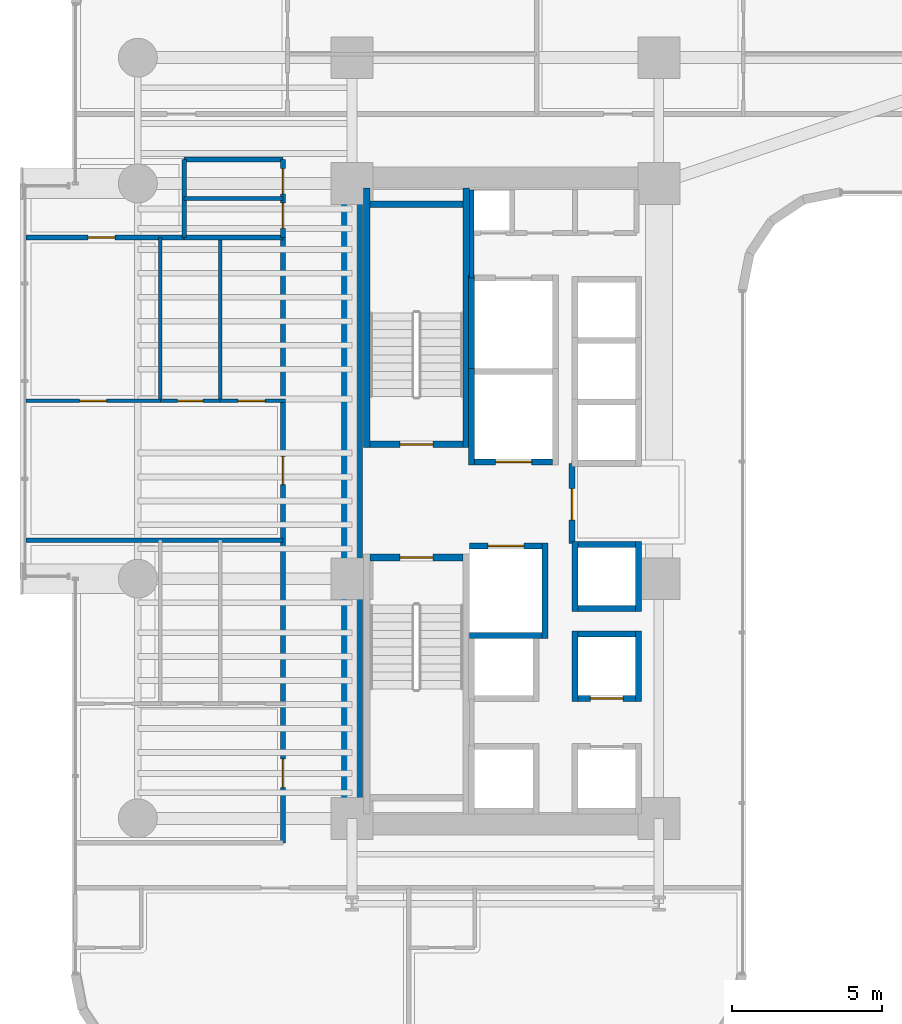
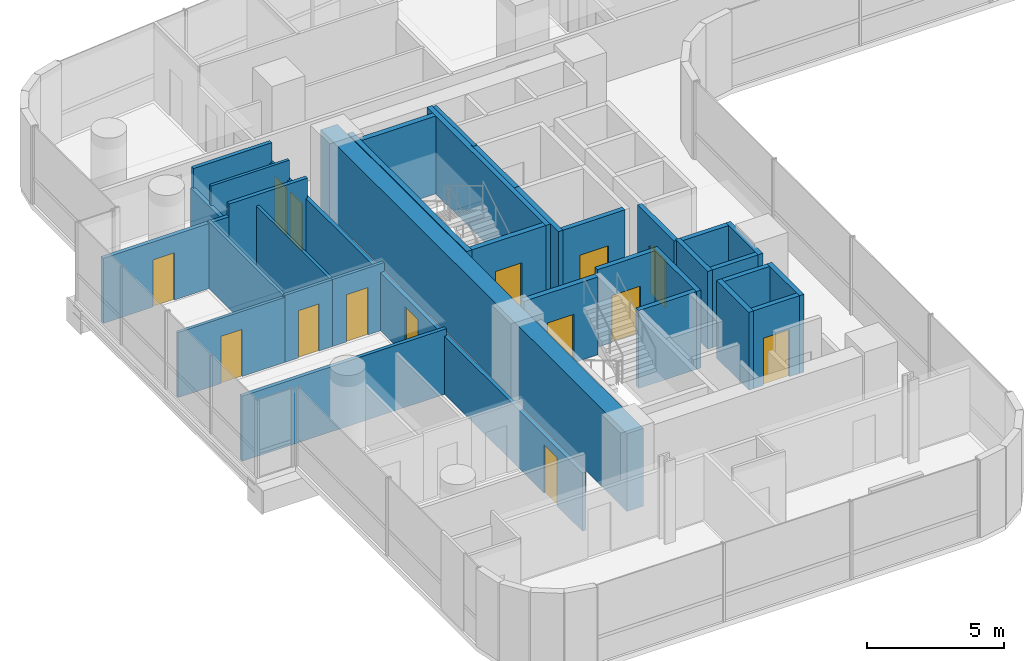
# One storey, part 30 of 40: 35 walls, 14 doors, 14 openings.
"""IFC4 building model written with IfcOpenShell, lengths in metres."""

from ifc_helpers import new_model, si_unit, direction, frame, frame_2d, origin, place, context, subcontext, project, spatial, rectangle, extrude, material, layer, layer_set, type_object, element, fill, save


model = new_model("IFC4")

# Units and contexts
model_context = context("Model", 3, precision=1e-05, world=origin(), true_north=direction((0.0, 1.0)))
body_context = subcontext(model_context, "Body", "Model", "MODEL_VIEW")
ifc_project = project(units=[si_unit("LENGTHUNIT", "METRE"), si_unit("AREAUNIT", "SQUARE_METRE"), si_unit("VOLUMEUNIT", "CUBIC_METRE"), si_unit("PLANEANGLEUNIT", "RADIAN"), si_unit("MASSUNIT", "GRAM", prefix="KILO")], contexts=[model_context])

# Site, building, storey
site_placement = place(None, origin())
site = spatial("IfcSite", under=ifc_project, at=site_placement, CompositionType="ELEMENT")
building_placement = place(site_placement, origin())
building = spatial("IfcBuilding", under=site, at=building_placement, Name="Valdorenza Pilgrim Sanctuary Tower", CompositionType="ELEMENT")
storey_placement = place(building_placement, frame((0.0, 0.0, 40.800048828125)))
storey = spatial("IfcBuildingStorey", under=building, at=storey_placement, Name="L09", CompositionType="ELEMENT", Elevation=40.800048828125)

# Walls
ifc_material_1 = material(Name="Acoustic twin-stud gypsum partition", Category="gypsum")
ifc_layer_1 = layer(ifc_material_1, 0.159912109375, Name="Acoustic twin-stud gypsum partition")
ifc_layer_set_1 = layer_set([ifc_layer_1], Name="Acoustic twin-stud gypsum partition")
wall_type_1 = type_object("IfcWallType", Name="WAL-COR-160", PredefinedType="PARTITIONING", material=ifc_layer_set_1)
wall_1_placement = place(storey_placement, frame((-18.64990234375, 7.449951171875, 0.0), z_axis=(0.0, 0.0, 1.0), x_axis=(0.0, 1.0, 0.0)))
element("IfcWall", 1, at=wall_1_placement, inside=storey, type_object=wall_type_1, Name="L09 Core A North Service West Wall", PredefinedType="PARTITIONING", context=body_context, shape_type="SweptSolid", body=[
    extrude(rectangle(XDim=2.929931640625, YDim=0.159912109375, at=frame_2d((1.46484375, 0.0))), origin(), (0.0, 0.0, 1.0), 3.4599609375),
])
wall_2_placement = place(storey_placement, frame((-28.25, 8.800048828125, 0.0), z_axis=(0.0, 0.0, 1.0), x_axis=(0.0, 1.0, 0.0)))
element("IfcWall", 2, at=wall_2_placement, inside=storey, type_object=wall_type_1, Name="L09 Washroom West Wall", PredefinedType="PARTITIONING", context=body_context, shape_type="SweptSolid", body=[
    extrude(rectangle(XDim=2.599853515625, YDim=0.159912109375, at=frame_2d((1.2998046875, 0.0))), origin(), (0.0, 0.0, 1.0), 2.5830078125),
])

# Wall, openings, doors
wall_3_placement = place(storey_placement, frame((-24.949951171875, 8.800048828125, 0.0), z_axis=(0.0, 0.0, 1.0), x_axis=(0.0, 1.0, 0.0)))
wall_3 = element("IfcWall", 3, at=wall_3_placement, inside=storey, type_object=wall_type_1, Name="L09 Washroom East Wall", PredefinedType="PARTITIONING", context=body_context, shape_type="SweptSolid", body=[
    extrude(rectangle(XDim=2.599853515625, YDim=0.159912109375, at=frame_2d((1.2998046875, 0.0))), origin(), (0.0, 0.0, 1.0), 2.5830078125),
])
opening_1_placement = place(wall_3_placement, frame((0.300048828125, 0.0, 0.0)))
opening_1 = element("IfcOpeningElement", 4, at=opening_1_placement, cuts=wall_3, Name="Opening DR-WC1", PredefinedType="OPENING", context=body_context, shape_type="SweptSolid", body=[
    extrude(rectangle(XDim=0.85009765625, YDim=2.10009765625, at=frame_2d((0.425048828125, 1.050048828125))), frame((0.0, 0.0947265625, 0.0), z_axis=(0.0, -1.0, 0.0), x_axis=(1.0, 0.0, 0.0)), (0.0, 0.0, 1.0), 0.189697265625),
])
opening_2_placement = place(wall_3_placement, frame((1.449951171875, 0.0, 0.0)))
opening_2 = element("IfcOpeningElement", 5, at=opening_2_placement, cuts=wall_3, Name="Opening DR-WC1", PredefinedType="OPENING", context=body_context, shape_type="SweptSolid", body=[
    extrude(rectangle(XDim=0.85009765625, YDim=2.10009765625, at=frame_2d((0.425048828125, 1.050048828125))), frame((0.0, 0.0947265625, 0.0), z_axis=(0.0, -1.0, 0.0), x_axis=(1.0, 0.0, 0.0)), (0.0, 0.0, 1.0), 0.189697265625),
])
ifc_material_2 = material(Name="Moisture-resistant lacquered timber", Category="wood")
door_type_1 = type_object("IfcDoorType", Name="DR-BATH-850", OperationType="NOTDEFINED", PredefinedType="DOOR", material=ifc_material_2)
door_1_placement = place(opening_1_placement, origin())
door_1 = element("IfcDoor", 6, at=door_1_placement, inside=storey, type_object=door_type_1, Name="L09 Accessible Washroom Door", OperationType="SINGLE_SWING_RIGHT", OverallHeight=2.10009765625, OverallWidth=0.85009765625, PredefinedType="DOOR", context=body_context, shape_type="SweptSolid", body=[
    extrude(rectangle(XDim=0.85009765625, YDim=2.10009765625, at=frame_2d((0.425048828125, 1.050048828125))), frame((0.0, 0.02490234375, 0.0), z_axis=(0.0, -1.0, 0.0), x_axis=(1.0, 0.0, 0.0)), (0.0, 0.0, 1.0), 0.050048828125),
])
fill(opening_1, door_1)
door_2_placement = place(opening_2_placement, origin())
door_2 = element("IfcDoor", 7, at=door_2_placement, inside=storey, type_object=door_type_1, Name="L09 Public Washroom Door", OperationType="SINGLE_SWING_LEFT", OverallHeight=2.10009765625, OverallWidth=0.85009765625, PredefinedType="DOOR", context=body_context, shape_type="SweptSolid", body=[
    extrude(rectangle(XDim=0.85009765625, YDim=2.10009765625, at=frame_2d((0.425048828125, 1.050048828125))), frame((0.0, 0.02490234375, 0.0), z_axis=(0.0, -1.0, 0.0), x_axis=(1.0, 0.0, 0.0)), (0.0, 0.0, 1.0), 0.050048828125),
])
fill(opening_2, door_2)

# Walls
for number, where, z_axis, x_axis, name in (
    (8, (-28.25, 8.800048828125, 0.0), (0.0, 0.0, 1.0), (1.0, 0.0, 0.0), "L09 Washroom South Wall"),
    (9, (-28.25, 11.39990234375, 0.0), (0.0, 0.0, 1.0), (1.0, 0.0, 0.0), "L09 Washroom North Wall"),
):
    element("IfcWall", number, at=place(storey_placement, frame(where, z_axis=z_axis, x_axis=x_axis)), inside=storey, type_object=wall_type_1, Name=name, PredefinedType="PARTITIONING", context=body_context, shape_type="SweptSolid", body=[
        extrude(rectangle(XDim=3.300048828125, YDim=0.159912109375, at=frame_2d((1.64990234375, 0.0))), origin(), (0.0, 0.0, 1.0), 3.4599609375),
    ])

# Wall, openings, doors
wall_4_placement = place(storey_placement, frame((-24.949951171875, -11.419921875, 0.0), z_axis=(0.0, 0.0, 1.0), x_axis=(0.0, 1.0, 0.0)))
wall_4 = element("IfcWall", 10, at=wall_4_placement, inside=storey, type_object=wall_type_1, Name="L09 West Wing Corridor Wall", PredefinedType="PARTITIONING", context=body_context, shape_type="SweptSolid", body=[
    extrude(rectangle(XDim=20.219970703125, YDim=0.159912109375, at=frame_2d((10.10986328125, 0.0))), origin(), (0.0, 0.0, 1.0), 2.5830078125),
])
opening_3_placement = place(wall_4_placement, frame((1.85009765625, 0.0, 0.0)))
opening_3 = element("IfcOpeningElement", 11, at=opening_3_placement, cuts=wall_4, Name="Opening DR-UN1", PredefinedType="OPENING", context=body_context, shape_type="SweptSolid", body=[
    extrude(rectangle(XDim=0.949951171875, YDim=2.14990234375, at=frame_2d((0.47509765625, 1.074951171875))), frame((0.0, 0.0947265625, 0.0), z_axis=(0.0, -1.0, 0.0), x_axis=(1.0, 0.0, 0.0)), (0.0, 0.0, 1.0), 0.189697265625),
])
opening_4_placement = place(wall_4_placement, frame((11.9599609375, 0.0, 0.0)))
opening_4 = element("IfcOpeningElement", 12, at=opening_4_placement, cuts=wall_4, Name="Opening DR-UN1", PredefinedType="OPENING", context=body_context, shape_type="SweptSolid", body=[
    extrude(rectangle(XDim=0.949951171875, YDim=2.14990234375, at=frame_2d((0.47509765625, 1.074951171875))), frame((0.0, 0.0947265625, 0.0), z_axis=(0.0, -1.0, 0.0), x_axis=(1.0, 0.0, 0.0)), (0.0, 0.0, 1.0), 0.189697265625),
])
ifc_material_3 = material(Name="Solid-core European oak timber", Category="wood")
door_type_2 = type_object("IfcDoorType", Name="DR-UNIT-950", OperationType="NOTDEFINED", PredefinedType="DOOR", material=ifc_material_3)
door_3_placement = place(opening_3_placement, frame((0.949951171875, 0.0, 0.0), z_axis=(0.0, 0.0, 1.0), x_axis=(-1.0, 0.0, 0.0)))
door_3 = element("IfcDoor", 13, at=door_3_placement, inside=storey, type_object=door_type_2, Name="L09 Pilgrim Family Flat L09-W1 Entrance Door", OperationType="SINGLE_SWING_LEFT", OverallHeight=2.14990234375, OverallWidth=0.949951171875, PredefinedType="DOOR", context=body_context, shape_type="SweptSolid", body=[
    extrude(rectangle(XDim=0.949951171875, YDim=2.14990234375, at=frame_2d((0.47509765625, 1.074951171875))), frame((0.0, 0.02490234375, 0.0), z_axis=(0.0, -1.0, 0.0), x_axis=(1.0, 0.0, 0.0)), (0.0, 0.0, 1.0), 0.050048828125),
])
fill(opening_3, door_3)
door_4_placement = place(opening_4_placement, frame((0.949951171875, 0.0, 0.0), z_axis=(0.0, 0.0, 1.0), x_axis=(-1.0, 0.0, 0.0)))
door_4 = element("IfcDoor", 14, at=door_4_placement, inside=storey, type_object=door_type_2, Name="L09 Pilgrim Family Flat L09-W2 Entrance Door", OperationType="SINGLE_SWING_LEFT", OverallHeight=2.14990234375, OverallWidth=0.949951171875, PredefinedType="DOOR", context=body_context, shape_type="SweptSolid", body=[
    extrude(rectangle(XDim=0.949951171875, YDim=2.14990234375, at=frame_2d((0.47509765625, 1.074951171875))), frame((0.0, 0.02490234375, 0.0), z_axis=(0.0, -1.0, 0.0), x_axis=(1.0, 0.0, 0.0)), (0.0, 0.0, 1.0), 0.050048828125),
])
fill(opening_4, door_4)

# Wall, opening, door
wall_5_placement = place(storey_placement, frame((-33.5400390625, 8.800048828125, 0.0), z_axis=(0.0, 0.0, 1.0), x_axis=(1.0, 0.0, 0.0)))
wall_5 = element("IfcWall", 15, at=wall_5_placement, inside=storey, type_object=wall_type_1, Name="L09 West North Alcove Wall", PredefinedType="PARTITIONING", context=body_context, shape_type="SweptSolid", body=[
    extrude(rectangle(XDim=5.2900390625, YDim=0.159912109375, at=frame_2d((2.64501953125, 0.0))), origin(), (0.0, 0.0, 1.0), 2.89599609375),
])
opening_5_placement = place(wall_5_placement, frame((2.080078125, 0.0, 0.0)))
opening_5 = element("IfcOpeningElement", 16, at=opening_5_placement, cuts=wall_5, Name="Opening DR-RM1", PredefinedType="OPENING", context=body_context, shape_type="SweptSolid", body=[
    extrude(rectangle(XDim=0.89990234375, YDim=2.10009765625, at=frame_2d((0.449951171875, 1.050048828125))), frame((0.0, 0.0947265625, 0.0), z_axis=(0.0, -1.0, 0.0), x_axis=(1.0, 0.0, 0.0)), (0.0, 0.0, 1.0), 0.189697265625),
])
door_type_3 = type_object("IfcDoorType", Name="DR-ROOM-900", OperationType="NOTDEFINED", PredefinedType="DOOR", material=ifc_material_3)
door_5_placement = place(opening_5_placement, origin())
door_5 = element("IfcDoor", 17, at=door_5_placement, inside=storey, type_object=door_type_3, Name="L09 Pilgrim Scholar Office L09-WN Door", OperationType="SINGLE_SWING_RIGHT", OverallHeight=2.10009765625, OverallWidth=0.89990234375, PredefinedType="DOOR", context=body_context, shape_type="SweptSolid", body=[
    extrude(rectangle(XDim=0.89990234375, YDim=2.10009765625, at=frame_2d((0.449951171875, 1.050048828125))), frame((0.0, 0.02490234375, 0.0), z_axis=(0.0, -1.0, 0.0), x_axis=(1.0, 0.0, 0.0)), (0.0, 0.0, 1.0), 0.050048828125),
])
fill(opening_5, door_5)

# Wall
ifc_material_4 = material(Name="Concrete C60/75", Category="concrete")
ifc_layer_2 = layer(ifc_material_4, 0.699951171875, Name="Concrete C60/75")
ifc_layer_set_2 = layer_set([ifc_layer_2], Name="Concrete C60/75")
wall_type_2 = type_object("IfcWallType", Name="WAL-COR-700", PredefinedType="SHEAR", material=ifc_layer_set_2)
wall_6_placement = place(storey_placement, frame((-22.64990234375, -11.14990234375, 0.0), z_axis=(0.0, 0.0, 1.0), x_axis=(0.0, 1.0, 0.0)))
element("IfcWall", 18, at=wall_6_placement, inside=storey, type_object=wall_type_2, Name="L09 Split Core A Shear Wall W", PredefinedType="SHEAR", context=body_context, shape_type="SweptSolid", body=[
    extrude(rectangle(XDim=22.2998046875, YDim=0.699951171875, at=frame_2d((11.14990234375, 0.0))), origin(), (0.0, 0.0, 1.0), 3.4599609375),
])

# Wall, opening, door
ifc_material_5 = material(Name="Gypsum shaftwall partition", Category="gypsum")
ifc_layer_3 = layer(ifc_material_5, 0.199951171875, Name="Gypsum shaftwall partition")
ifc_layer_set_3 = layer_set([ifc_layer_3], Name="Gypsum shaftwall partition")
wall_type_3 = type_object("IfcWallType", Name="WAL-FFL-200", PredefinedType="PARTITIONING", material=ifc_layer_set_3)
wall_7_placement = place(storey_placement, frame((-15.300048828125, -1.419921875, 0.0), z_axis=(0.0, 0.0, 1.0), x_axis=(0.0, 1.0, 0.0)))
wall_7 = element("IfcWall", 19, at=wall_7_placement, inside=storey, type_object=wall_type_3, Name="L09 Core A Firefighting Lobby East Wall", PredefinedType="PARTITIONING", context=body_context, shape_type="SweptSolid", body=[
    extrude(rectangle(XDim=2.669921875, YDim=0.199951171875, at=frame_2d((1.3349609375, 0.0))), origin(), (0.0, 0.0, 1.0), 3.4599609375),
])
opening_6_placement = place(wall_7_placement, frame((0.780029296875, 0.0, 0.0)))
opening_6 = element("IfcOpeningElement", 20, at=opening_6_placement, cuts=wall_7, Name="Opening DR-FL1", PredefinedType="OPENING", context=body_context, shape_type="SweptSolid", body=[
    extrude(rectangle(XDim=1.050048828125, YDim=2.14990234375, at=frame_2d((0.52490234375, 1.074951171875))), frame((0.0, 0.11474609375, 0.0), z_axis=(0.0, -1.0, 0.0), x_axis=(1.0, 0.0, 0.0)), (0.0, 0.0, 1.0), 0.229736328125),
])
ifc_material_6 = material(Name="Painted galvanized steel", Category="steel")
door_type_4 = type_object("IfcDoorType", Name="DR-FFL-1050", OperationType="NOTDEFINED", PredefinedType="DOOR", material=ifc_material_6)
door_6_placement = place(opening_6_placement, origin())
door_6 = element("IfcDoor", 21, at=door_6_placement, inside=storey, type_object=door_type_4, Name="L09 Core A Firefighting Lobby Door", OperationType="SINGLE_SWING_RIGHT", OverallHeight=2.14990234375, OverallWidth=1.050048828125, PredefinedType="DOOR", context=body_context, shape_type="SweptSolid", body=[
    extrude(rectangle(XDim=1.050048828125, YDim=2.14990234375, at=frame_2d((0.52490234375, 1.074951171875))), frame((0.0, 0.02490234375, 0.0), z_axis=(0.0, -1.0, 0.0), x_axis=(1.0, 0.0, 0.0)), (0.0, 0.0, 1.0), 0.050048828125),
])
fill(opening_6, door_6)

# Walls
ifc_material_7 = material(Name="Moisture-resistant gypsum partition", Category="gypsum")
ifc_layer_4 = layer(ifc_material_7, 0.1201171875, Name="Moisture-resistant gypsum partition")
ifc_layer_set_4 = layer_set([ifc_layer_4], Name="Moisture-resistant gypsum partition")
wall_type_4 = type_object("IfcWallType", Name="WAL-INT-120", PredefinedType="PARTITIONING", material=ifc_layer_set_4)
wall_8_placement = place(storey_placement, frame((-28.25, 10.10009765625, 0.0), z_axis=(0.0, 0.0, 1.0), x_axis=(1.0, 0.0, 0.0)))
element("IfcWall", 22, at=wall_8_placement, inside=storey, type_object=wall_type_4, Name="L09 Washroom Divider Wall", PredefinedType="PARTITIONING", context=body_context, shape_type="SweptSolid", body=[
    extrude(rectangle(XDim=3.300048828125, YDim=0.1201171875, at=frame_2d((1.64990234375, 0.0))), origin(), (0.0, 0.0, 1.0), 3.4599609375),
])
for number, where, z_axis, x_axis, name in (
    (23, (-27.050048828125, 3.340576171875, 0.0), (0.0, 0.0, 1.0), (0.0, 1.0, 0.0), "L09 Pilgrim Family Flat L09-W2 Bath-Kitchen Wall"),
    (24, (-29.050048828125, 3.340576171875, 0.0), (0.0, 0.0, 1.0), (0.0, 1.0, 0.0), "L09 Pilgrim Family Flat L09-W2 Kitchen-Bedroom Wall"),
):
    element("IfcWall", number, at=place(storey_placement, frame(where, z_axis=z_axis, x_axis=x_axis)), inside=storey, type_object=wall_type_4, Name=name, PredefinedType="PARTITIONING", context=body_context, shape_type="SweptSolid", body=[
        extrude(rectangle(XDim=5.45947265625, YDim=0.1201171875, at=frame_2d((2.729736328125, 0.0))), origin(), (0.0, 0.0, 1.0), 2.97900390625),
    ])

# Wall, opening, door
wall_9_placement = place(storey_placement, frame((-29.050048828125, 3.340576171875, 0.0), z_axis=(0.0, 0.0, 1.0), x_axis=(1.0, 0.0, 0.0)))
wall_9 = element("IfcWall", 25, at=wall_9_placement, inside=storey, type_object=wall_type_4, Name="L09 Pilgrim Family Flat L09-W2 Bathroom Door Wall", PredefinedType="PARTITIONING", context=body_context, shape_type="SweptSolid", body=[
    extrude(rectangle(XDim=2.0, YDim=0.1201171875, at=frame_2d((1.0, 0.0))), origin(), (0.0, 0.0, 1.0), 2.97900390625),
])
opening_7_placement = place(wall_9_placement, frame((0.574951171875, 0.0, 0.0)))
opening_7 = element("IfcOpeningElement", 26, at=opening_7_placement, cuts=wall_9, Name="Opening DR-WC1", PredefinedType="OPENING", context=body_context, shape_type="SweptSolid", body=[
    extrude(rectangle(XDim=0.85009765625, YDim=2.10009765625, at=frame_2d((0.425048828125, 1.050048828125))), frame((0.0, 0.074951171875, 0.0), z_axis=(0.0, -1.0, 0.0), x_axis=(1.0, 0.0, 0.0)), (0.0, 0.0, 1.0), 0.14990234375),
])
door_7_placement = place(opening_7_placement, origin())
door_7 = element("IfcDoor", 27, at=door_7_placement, inside=storey, type_object=door_type_1, Name="L09 Pilgrim Family Flat L09-W2 Bathroom Door", OperationType="SINGLE_SWING_RIGHT", OverallHeight=2.10009765625, OverallWidth=0.85009765625, PredefinedType="DOOR", context=body_context, shape_type="SweptSolid", body=[
    extrude(rectangle(XDim=0.85009765625, YDim=2.10009765625, at=frame_2d((0.425048828125, 1.050048828125))), frame((0.0, 0.02490234375, 0.0), z_axis=(0.0, -1.0, 0.0), x_axis=(1.0, 0.0, 0.0)), (0.0, 0.0, 1.0), 0.050048828125),
])
fill(opening_7, door_7)

wall_10_placement = place(storey_placement, frame((-27.050048828125, 3.340576171875, 0.0), z_axis=(0.0, 0.0, 1.0), x_axis=(1.0, 0.0, 0.0)))
wall_10 = element("IfcWall", 28, at=wall_10_placement, inside=storey, type_object=wall_type_4, Name="L09 Pilgrim Family Flat L09-W2 Kitchen Door Wall", PredefinedType="PARTITIONING", context=body_context, shape_type="SweptSolid", body=[
    extrude(rectangle(XDim=2.179931640625, YDim=0.1201171875, at=frame_2d((1.08984375, 0.0))), origin(), (0.0, 0.0, 1.0), 2.97900390625),
])
opening_8_placement = place(wall_10_placement, frame((0.60009765625, 0.0, 0.0)))
opening_8 = element("IfcOpeningElement", 29, at=opening_8_placement, cuts=wall_10, Name="Opening DR-RM1", PredefinedType="OPENING", context=body_context, shape_type="SweptSolid", body=[
    extrude(rectangle(XDim=0.89990234375, YDim=2.10009765625, at=frame_2d((0.449951171875, 1.050048828125))), frame((0.0, 0.074951171875, 0.0), z_axis=(0.0, -1.0, 0.0), x_axis=(1.0, 0.0, 0.0)), (0.0, 0.0, 1.0), 0.14990234375),
])
door_8_placement = place(opening_8_placement, origin())
door_8 = element("IfcDoor", 30, at=door_8_placement, inside=storey, type_object=door_type_3, Name="L09 Pilgrim Family Flat L09-W2 Kitchen Door", OperationType="SINGLE_SWING_LEFT", OverallHeight=2.10009765625, OverallWidth=0.89990234375, PredefinedType="DOOR", context=body_context, shape_type="SweptSolid", body=[
    extrude(rectangle(XDim=0.89990234375, YDim=2.10009765625, at=frame_2d((0.449951171875, 1.050048828125))), frame((0.0, 0.02490234375, 0.0), z_axis=(0.0, -1.0, 0.0), x_axis=(1.0, 0.0, 0.0)), (0.0, 0.0, 1.0), 0.050048828125),
])
fill(opening_8, door_8)

wall_11_placement = place(storey_placement, frame((-33.5400390625, 3.340576171875, 0.0), z_axis=(0.0, 0.0, 1.0), x_axis=(1.0, 0.0, 0.0)))
wall_11 = element("IfcWall", 31, at=wall_11_placement, inside=storey, type_object=wall_type_4, Name="L09 Pilgrim Family Flat L09-W2 Bedroom Door Wall", PredefinedType="PARTITIONING", context=body_context, shape_type="SweptSolid", body=[
    extrude(rectangle(XDim=4.489990234375, YDim=0.1201171875, at=frame_2d((2.2451171875, 0.0))), origin(), (0.0, 0.0, 1.0), 2.89599609375),
])
opening_9_placement = place(wall_11_placement, frame((1.794921875, 0.0, 0.0)))
opening_9 = element("IfcOpeningElement", 32, at=opening_9_placement, cuts=wall_11, Name="Opening DR-RM1", PredefinedType="OPENING", context=body_context, shape_type="SweptSolid", body=[
    extrude(rectangle(XDim=0.89990234375, YDim=2.10009765625, at=frame_2d((0.449951171875, 1.050048828125))), frame((0.0, 0.074951171875, 0.0), z_axis=(0.0, -1.0, 0.0), x_axis=(1.0, 0.0, 0.0)), (0.0, 0.0, 1.0), 0.14990234375),
])
door_9_placement = place(opening_9_placement, origin())
door_9 = element("IfcDoor", 33, at=door_9_placement, inside=storey, type_object=door_type_3, Name="L09 Pilgrim Family Flat L09-W2 Bedroom Door", OperationType="SINGLE_SWING_RIGHT", OverallHeight=2.10009765625, OverallWidth=0.89990234375, PredefinedType="DOOR", context=body_context, shape_type="SweptSolid", body=[
    extrude(rectangle(XDim=0.89990234375, YDim=2.10009765625, at=frame_2d((0.449951171875, 1.050048828125))), frame((0.0, 0.02490234375, 0.0), z_axis=(0.0, -1.0, 0.0), x_axis=(1.0, 0.0, 0.0)), (0.0, 0.0, 1.0), 0.050048828125),
])
fill(opening_9, door_9)

# Wall
ifc_material_8 = material(Name="Autoclaved aerated concrete blockwork", Category="masonry")
ifc_layer_5 = layer(ifc_material_8, 0.199951171875, Name="Autoclaved aerated concrete blockwork")
ifc_layer_set_5 = layer_set([ifc_layer_5], Name="Autoclaved aerated concrete blockwork")
wall_type_5 = type_object("IfcWallType", Name="WAL-SHF-200", PredefinedType="MOVABLE", material=ifc_layer_set_5)
wall_12_placement = place(storey_placement, frame((-18.64990234375, 1.199951171875, 0.0), z_axis=(0.0, 0.0, 1.0), x_axis=(0.0, 1.0, 0.0)))
element("IfcWall", 34, at=wall_12_placement, inside=storey, type_object=wall_type_5, Name="L09 Lift FFL-01 Hoistway Wall West", PredefinedType="MOVABLE", context=body_context, shape_type="SweptSolid", body=[
    extrude(rectangle(XDim=3.22509765625, YDim=0.199951171875, at=frame_2d((1.612548828125, 0.0))), origin(), (0.0, 0.0, 1.0), 3.4599609375),
])

# Wall, opening, door
wall_13_placement = place(storey_placement, frame((-18.550048828125, 1.300048828125, 0.0), z_axis=(0.0, 0.0, 1.0), x_axis=(1.0, 0.0, 0.0)))
wall_13 = element("IfcWall", 35, at=wall_13_placement, inside=storey, type_object=wall_type_5, Name="L09 Lift FFL-01 Hoistway Wall South", PredefinedType="MOVABLE", context=body_context, shape_type="SweptSolid", body=[
    extrude(rectangle(XDim=2.60009765625, YDim=0.199951171875, at=frame_2d((1.300048828125, 0.0))), origin(), (0.0, 0.0, 1.0), 3.4599609375),
])
opening_10_placement = place(wall_13_placement, frame((0.699951171875, 0.0, 0.0)))
opening_10 = element("IfcOpeningElement", 36, at=opening_10_placement, cuts=wall_13, Name="Opening LD-02", PredefinedType="OPENING", context=body_context, shape_type="SweptSolid", body=[
    extrude(rectangle(XDim=1.199951171875, YDim=2.10009765625, at=frame_2d((0.60009765625, 1.050048828125))), frame((0.0, 0.11474609375, 0.0), z_axis=(0.0, -1.0, 0.0), x_axis=(1.0, 0.0, 0.0)), (0.0, 0.0, 1.0), 0.229736328125),
])
ifc_material_9 = material(Name="Brushed stainless steel Grade 316", Category="steel")
door_type_5 = type_object("IfcDoorType", Name="DR-LFT-1200", OperationType="DOUBLE_DOOR_SLIDING", PredefinedType="DOOR", material=ifc_material_9)
door_10_placement = place(opening_10_placement, origin())
door_10 = element("IfcDoor", 37, at=door_10_placement, inside=storey, type_object=door_type_5, Name="L09 Lift FFL-01 Sliding Landing Door", OperationType="DOUBLE_DOOR_SLIDING", OverallHeight=2.10009765625, OverallWidth=1.199951171875, PredefinedType="DOOR", context=body_context, shape_type="SweptSolid", body=[
    extrude(rectangle(XDim=1.199951171875, YDim=2.10009765625, at=frame_2d((0.60009765625, 1.050048828125))), frame((0.0, 0.02490234375, 0.0), z_axis=(0.0, -1.0, 0.0), x_axis=(1.0, 0.0, 0.0)), (0.0, 0.0, 1.0), 0.050048828125),
])
fill(opening_10, door_10)

# Walls
wall_14_placement = place(storey_placement, frame((-16.199951171875, -4.60009765625, 0.0), z_axis=(0.0, 0.0, 1.0), x_axis=(0.0, 1.0, 0.0)))
element("IfcWall", 38, at=wall_14_placement, inside=storey, type_object=wall_type_5, Name="L09 Lift FFL-02 Hoistway Wall East", PredefinedType="MOVABLE", context=body_context, shape_type="SweptSolid", body=[
    extrude(rectangle(XDim=3.2001953125, YDim=0.199951171875, at=frame_2d((1.60009765625, 0.0))), origin(), (0.0, 0.0, 1.0), 3.4599609375),
])
wall_15_placement = place(storey_placement, frame((-18.719970703125, -4.5, 0.0), z_axis=(0.0, 0.0, 1.0), x_axis=(1.0, 0.0, 0.0)))
element("IfcWall", 39, at=wall_15_placement, inside=storey, type_object=wall_type_5, Name="L09 Lift FFL-02 Hoistway Wall South", PredefinedType="MOVABLE", context=body_context, shape_type="SweptSolid", body=[
    extrude(rectangle(XDim=2.419921875, YDim=0.199951171875, at=frame_2d((1.2099609375, 0.0))), origin(), (0.0, 0.0, 1.0), 3.4599609375),
])

# Wall, opening, door
wall_16_placement = place(storey_placement, frame((-18.719970703125, -1.5, 0.0), z_axis=(0.0, 0.0, 1.0), x_axis=(1.0, 0.0, 0.0)))
wall_16 = element("IfcWall", 40, at=wall_16_placement, inside=storey, type_object=wall_type_5, Name="L09 Lift FFL-02 Hoistway Wall North", PredefinedType="MOVABLE", context=body_context, shape_type="SweptSolid", body=[
    extrude(rectangle(XDim=2.419921875, YDim=0.199951171875, at=frame_2d((1.2099609375, 0.0))), origin(), (0.0, 0.0, 1.0), 3.4599609375),
])
opening_11_placement = place(wall_16_placement, frame((0.610107421875, 0.0, 0.0)))
opening_11 = element("IfcOpeningElement", 41, at=opening_11_placement, cuts=wall_16, Name="Opening LD-02", PredefinedType="OPENING", context=body_context, shape_type="SweptSolid", body=[
    extrude(rectangle(XDim=1.199951171875, YDim=2.10009765625, at=frame_2d((0.60009765625, 1.050048828125))), frame((0.0, 0.11474609375, 0.0), z_axis=(0.0, -1.0, 0.0), x_axis=(1.0, 0.0, 0.0)), (0.0, 0.0, 1.0), 0.229736328125),
])
door_11_placement = place(opening_11_placement, origin())
door_11 = element("IfcDoor", 42, at=door_11_placement, inside=storey, type_object=door_type_5, Name="L09 Lift FFL-02 Sliding Landing Door", OperationType="DOUBLE_DOOR_SLIDING", OverallHeight=2.10009765625, OverallWidth=1.199951171875, PredefinedType="DOOR", context=body_context, shape_type="SweptSolid", body=[
    extrude(rectangle(XDim=1.199951171875, YDim=2.10009765625, at=frame_2d((0.60009765625, 1.050048828125))), frame((0.0, 0.02490234375, 0.0), z_axis=(0.0, -1.0, 0.0), x_axis=(1.0, 0.0, 0.0)), (0.0, 0.0, 1.0), 0.050048828125),
])
fill(opening_11, door_11)

# Walls
wall_17_placement = place(storey_placement, frame((-18.64990234375, 4.22509765625, 0.0), z_axis=(0.0, 0.0, 1.0), x_axis=(0.0, 1.0, 0.0)))
element("IfcWall", 43, at=wall_17_placement, inside=storey, type_object=wall_type_5, Name="L09 Lift SVL-01 Hoistway Wall West", PredefinedType="MOVABLE", context=body_context, shape_type="SweptSolid", body=[
    extrude(rectangle(XDim=3.324951171875, YDim=0.199951171875, at=frame_2d((1.66259765625, 0.0))), origin(), (0.0, 0.0, 1.0), 3.4599609375),
])
for number, where, z_axis, x_axis, name in (
    (44, (-15.199951171875, -6.699951171875, 0.0), (0.0, 0.0, 1.0), (0.0, 1.0, 0.0), "L09 Lift PL-02 Hoistway Wall West"),
    (45, (-13.080078125, -6.699951171875, 0.0), (0.0, 0.0, 1.0), (0.0, 1.0, 0.0), "L09 Lift PL-02 Hoistway Wall East"),
):
    element("IfcWall", number, at=place(storey_placement, frame(where, z_axis=z_axis, x_axis=x_axis)), inside=storey, type_object=wall_type_5, Name=name, PredefinedType="MOVABLE", context=body_context, shape_type="SweptSolid", body=[
        extrude(rectangle(XDim=2.349853515625, YDim=0.199951171875, at=frame_2d((1.1748046875, 0.0))), origin(), (0.0, 0.0, 1.0), 3.4599609375),
    ])

# Wall, opening, door
wall_18_placement = place(storey_placement, frame((-15.10009765625, -6.60009765625, 0.0), z_axis=(0.0, 0.0, 1.0), x_axis=(1.0, 0.0, 0.0)))
wall_18 = element("IfcWall", 46, at=wall_18_placement, inside=storey, type_object=wall_type_5, Name="L09 Lift PL-02 Hoistway Wall South", PredefinedType="MOVABLE", context=body_context, shape_type="SweptSolid", body=[
    extrude(rectangle(XDim=1.920166015625, YDim=0.199951171875, at=frame_2d((0.9599609375, 0.0))), origin(), (0.0, 0.0, 1.0), 3.4599609375),
])
opening_12_placement = place(wall_18_placement, frame((0.409912109375, 0.0, 0.0)))
opening_12 = element("IfcOpeningElement", 47, at=opening_12_placement, cuts=wall_18, Name="Opening LD-01", PredefinedType="OPENING", context=body_context, shape_type="SweptSolid", body=[
    extrude(rectangle(XDim=1.10009765625, YDim=2.10009765625, at=frame_2d((0.550048828125, 1.050048828125))), frame((0.0, 0.11474609375, 0.0), z_axis=(0.0, -1.0, 0.0), x_axis=(1.0, 0.0, 0.0)), (0.0, 0.0, 1.0), 0.229736328125),
])
door_type_6 = type_object("IfcDoorType", Name="DR-LFT-1100", OperationType="DOUBLE_DOOR_SLIDING", PredefinedType="DOOR", material=ifc_material_9)
door_12_placement = place(opening_12_placement, origin())
door_12 = element("IfcDoor", 48, at=door_12_placement, inside=storey, type_object=door_type_6, Name="L09 Lift PL-02 Sliding Landing Door", OperationType="DOUBLE_DOOR_SLIDING", OverallHeight=2.10009765625, OverallWidth=1.10009765625, PredefinedType="DOOR", context=body_context, shape_type="SweptSolid", body=[
    extrude(rectangle(XDim=1.10009765625, YDim=2.10009765625, at=frame_2d((0.550048828125, 1.050048828125))), frame((0.0, 0.02490234375, 0.0), z_axis=(0.0, -1.0, 0.0), x_axis=(1.0, 0.0, 0.0)), (0.0, 0.0, 1.0), 0.050048828125),
])
fill(opening_12, door_12)

# Walls
wall_19_placement = place(storey_placement, frame((-15.10009765625, -4.449951171875, 0.0), z_axis=(0.0, 0.0, 1.0), x_axis=(1.0, 0.0, 0.0)))
element("IfcWall", 49, at=wall_19_placement, inside=storey, type_object=wall_type_5, Name="L09 Lift PL-02 Hoistway Wall North", PredefinedType="MOVABLE", context=body_context, shape_type="SweptSolid", body=[
    extrude(rectangle(XDim=1.920166015625, YDim=0.199951171875, at=frame_2d((0.9599609375, 0.0))), origin(), (0.0, 0.0, 1.0), 3.4599609375),
])
for number, where, z_axis, x_axis, name in (
    (50, (-15.199951171875, -3.699951171875, 0.0), (0.0, 0.0, 1.0), (0.0, 1.0, 0.0), "L09 Lift PL-12 Hoistway Wall West"),
    (51, (-13.080078125, -3.699951171875, 0.0), (0.0, 0.0, 1.0), (0.0, 1.0, 0.0), "L09 Lift PL-12 Hoistway Wall East"),
):
    element("IfcWall", number, at=place(storey_placement, frame(where, z_axis=z_axis, x_axis=x_axis)), inside=storey, type_object=wall_type_5, Name=name, PredefinedType="MOVABLE", context=body_context, shape_type="SweptSolid", body=[
        extrude(rectangle(XDim=2.349853515625, YDim=0.199951171875, at=frame_2d((1.1748046875, 0.0))), origin(), (0.0, 0.0, 1.0), 3.4599609375),
    ])
for number, where, z_axis, x_axis, name in (
    (52, (-15.10009765625, -3.60009765625, 0.0), (0.0, 0.0, 1.0), (1.0, 0.0, 0.0), "L09 Lift PL-12 Hoistway Wall South"),
    (53, (-15.10009765625, -1.449951171875, 0.0), (0.0, 0.0, 1.0), (1.0, 0.0, 0.0), "L09 Lift PL-12 Hoistway Wall North"),
):
    element("IfcWall", number, at=place(storey_placement, frame(where, z_axis=z_axis, x_axis=x_axis)), inside=storey, type_object=wall_type_5, Name=name, PredefinedType="MOVABLE", context=body_context, shape_type="SweptSolid", body=[
        extrude(rectangle(XDim=1.920166015625, YDim=0.199951171875, at=frame_2d((0.9599609375, 0.0))), origin(), (0.0, 0.0, 1.0), 3.4599609375),
    ])
ifc_material_10 = material(Name="Concrete C40/50", Category="concrete")
ifc_layer_6 = layer(ifc_material_10, 0.219970703125, Name="Concrete C40/50")
ifc_layer_set_6 = layer_set([ifc_layer_6], Name="Concrete C40/50")
wall_type_6 = type_object("IfcWallType", Name="WAL-STR-SHF-220", PredefinedType="SHEAR", material=ifc_layer_set_6)
for number, where, z_axis, x_axis, name in (
    (54, (-22.159912109375, 1.780029296875, 0.0), (0.0, 0.0, 1.0), (0.0, 1.0, 0.0), "L09 ST-A1 Structural Stairwell Wall W"),
    (55, (-18.830078125, 1.780029296875, 0.0), (0.0, 0.0, 1.0), (0.0, 1.0, 0.0), "L09 ST-A1 Structural Stairwell Wall E"),
):
    element("IfcWall", number, at=place(storey_placement, frame(where, z_axis=z_axis, x_axis=x_axis)), inside=storey, type_object=wall_type_6, Name=name, PredefinedType="SHEAR", context=body_context, shape_type="SweptSolid", body=[
        extrude(rectangle(XDim=8.669921875, YDim=0.219970703125, at=frame_2d((4.3349609375, 0.0))), origin(), (0.0, 0.0, 1.0), 3.4599609375),
    ])

# Wall, opening, door
wall_20_placement = place(storey_placement, frame((-22.050048828125, 1.889892578125, 0.0), z_axis=(0.0, 0.0, 1.0), x_axis=(1.0, 0.0, 0.0)))
wall_20 = element("IfcWall", 56, at=wall_20_placement, inside=storey, type_object=wall_type_6, Name="L09 ST-A1 Structural Stairwell Wall S", PredefinedType="SHEAR", context=body_context, shape_type="SweptSolid", body=[
    extrude(rectangle(XDim=3.110107421875, YDim=0.219970703125, at=frame_2d((1.55517578125, 0.0))), origin(), (0.0, 0.0, 1.0), 3.4599609375),
])
opening_13_placement = place(wall_20_placement, frame((1.0, 0.0, 0.0)))
opening_13 = element("IfcOpeningElement", 57, at=opening_13_placement, cuts=wall_20, Name="Opening DR-ST1", PredefinedType="OPENING", context=body_context, shape_type="SweptSolid", body=[
    extrude(rectangle(XDim=1.10009765625, YDim=2.14990234375, at=frame_2d((0.550048828125, 1.074951171875))), frame((0.0, 0.125, 0.0), z_axis=(0.0, -1.0, 0.0), x_axis=(1.0, 0.0, 0.0)), (0.0, 0.0, 1.0), 0.249755859375),
])
door_type_7 = type_object("IfcDoorType", Name="DR-STAIR-1100", OperationType="NOTDEFINED", PredefinedType="DOOR", material=ifc_material_6)
door_13_placement = place(opening_13_placement, frame((1.10009765625, 0.0, 0.0), z_axis=(0.0, 0.0, 1.0), x_axis=(-1.0, 0.0, 0.0)))
door_13 = element("IfcDoor", 58, at=door_13_placement, inside=storey, type_object=door_type_7, Name="L09 Exit Stair ST-A1 Door", OperationType="SINGLE_SWING_LEFT", OverallHeight=2.14990234375, OverallWidth=1.10009765625, PredefinedType="DOOR", context=body_context, shape_type="SweptSolid", body=[
    extrude(rectangle(XDim=1.10009765625, YDim=2.14990234375, at=frame_2d((0.550048828125, 1.074951171875))), frame((0.0, 0.02490234375, 0.0), z_axis=(0.0, -1.0, 0.0), x_axis=(1.0, 0.0, 0.0)), (0.0, 0.0, 1.0), 0.050048828125),
])
fill(opening_13, door_13)

# Wall
wall_21_placement = place(storey_placement, frame((-22.050048828125, 9.909912109375, 0.0), z_axis=(0.0, 0.0, 1.0), x_axis=(1.0, 0.0, 0.0)))
element("IfcWall", 59, at=wall_21_placement, inside=storey, type_object=wall_type_6, Name="L09 ST-A1 Structural Stairwell Wall N", PredefinedType="SHEAR", context=body_context, shape_type="SweptSolid", body=[
    extrude(rectangle(XDim=3.110107421875, YDim=0.219970703125, at=frame_2d((1.55517578125, 0.0))), origin(), (0.0, 0.0, 1.0), 3.4599609375),
])

# Wall, opening, door
wall_22_placement = place(storey_placement, frame((-22.050048828125, -1.889892578125, 0.0), z_axis=(0.0, 0.0, 1.0), x_axis=(1.0, 0.0, 0.0)))
wall_22 = element("IfcWall", 60, at=wall_22_placement, inside=storey, type_object=wall_type_6, Name="L09 ST-A2 Structural Stairwell Wall N", PredefinedType="SHEAR", context=body_context, shape_type="SweptSolid", body=[
    extrude(rectangle(XDim=3.110107421875, YDim=0.219970703125, at=frame_2d((1.55517578125, 0.0))), origin(), (0.0, 0.0, 1.0), 3.4599609375),
])
opening_14_placement = place(wall_22_placement, frame((1.0, 0.0, 0.0)))
opening_14 = element("IfcOpeningElement", 61, at=opening_14_placement, cuts=wall_22, Name="Opening DR-ST1", PredefinedType="OPENING", context=body_context, shape_type="SweptSolid", body=[
    extrude(rectangle(XDim=1.10009765625, YDim=2.14990234375, at=frame_2d((0.550048828125, 1.074951171875))), frame((0.0, 0.125, 0.0), z_axis=(0.0, -1.0, 0.0), x_axis=(1.0, 0.0, 0.0)), (0.0, 0.0, 1.0), 0.249755859375),
])
door_14_placement = place(opening_14_placement, origin())
door_14 = element("IfcDoor", 62, at=door_14_placement, inside=storey, type_object=door_type_7, Name="L09 Exit Stair ST-A2 Door", OperationType="SINGLE_SWING_RIGHT", OverallHeight=2.14990234375, OverallWidth=1.10009765625, PredefinedType="DOOR", context=body_context, shape_type="SweptSolid", body=[
    extrude(rectangle(XDim=1.10009765625, YDim=2.14990234375, at=frame_2d((0.550048828125, 1.074951171875))), frame((0.0, 0.02490234375, 0.0), z_axis=(0.0, -1.0, 0.0), x_axis=(1.0, 0.0, 0.0)), (0.0, 0.0, 1.0), 0.050048828125),
])
fill(opening_14, door_14)

# Wall
ifc_layer_7 = layer(ifc_material_1, 0.14990234375, Name="Acoustic twin-stud gypsum partition")
ifc_layer_set_7 = layer_set([ifc_layer_7], Name="Acoustic twin-stud gypsum partition")
wall_type_7 = type_object("IfcWallType", Name="WAL-UNT-150", PredefinedType="PARTITIONING", material=ifc_layer_set_7)
wall_23_placement = place(storey_placement, frame((-33.5400390625, -1.31005859375, 0.0), z_axis=(0.0, 0.0, 1.0), x_axis=(1.0, 0.0, 0.0)))
element("IfcWall", 63, at=wall_23_placement, inside=storey, type_object=wall_type_7, Name="L09 West Flat Demising", PredefinedType="PARTITIONING", context=body_context, shape_type="SweptSolid", body=[
    extrude(rectangle(XDim=8.590087890625, YDim=0.14990234375, at=frame_2d((4.294921875, 0.0))), origin(), (0.0, 0.0, 1.0), 2.89599609375),
])

save(model, "model.ifc")
